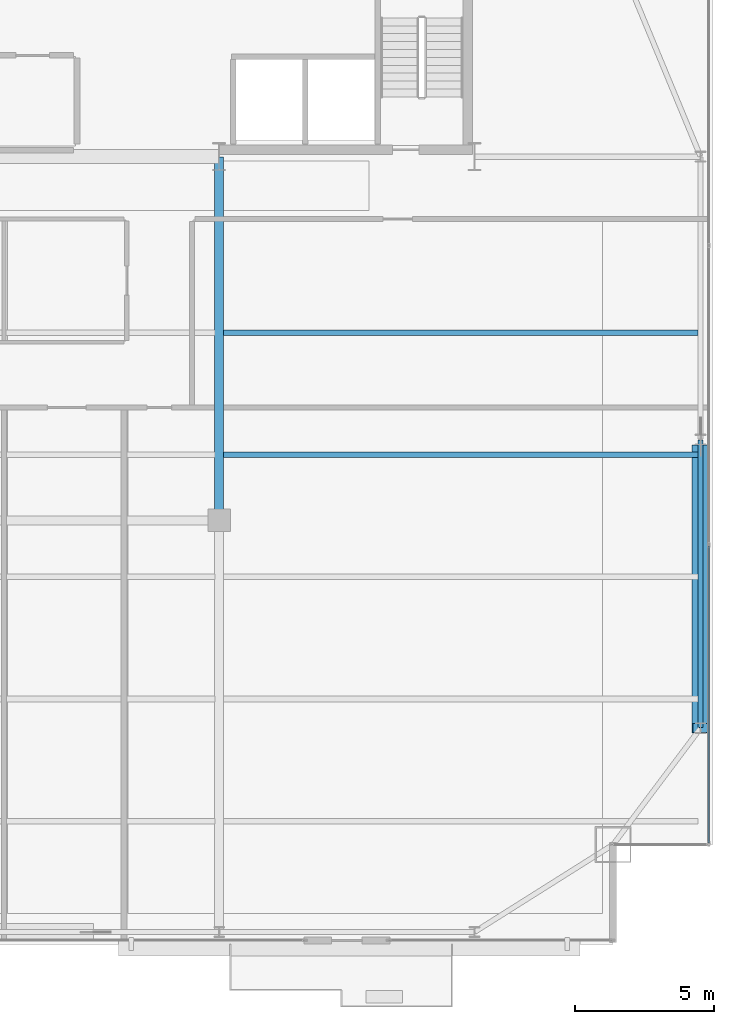
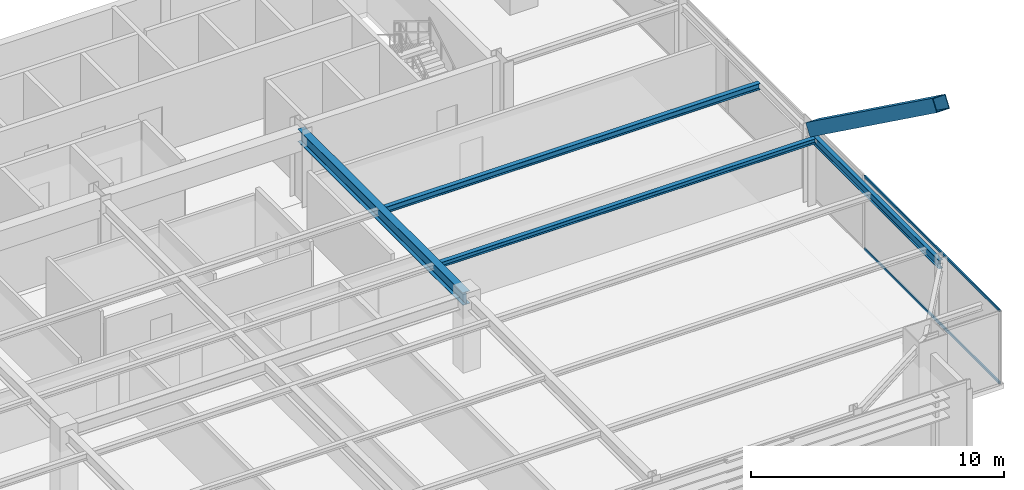
# One storey, part 17 of 32: 4 beams, 3 members, 1 element without a shape of its own.
"""IFC4 building model written with IfcOpenShell, lengths in metres."""

from ifc_helpers import new_model, si_unit, direction, frame, origin, origin_2d, place, context, subcontext, project, spatial, hollow_rectangle, i_section, extrude, source, transform, mapped, material, layer, layer_set, material_profile, profile_set, type_object, type_shapes, element, aggregate, save


model = new_model("IFC4")

# Units and contexts
model_context = context("Model", 3, precision=1e-05, world=origin(), true_north=direction((0.0, 1.0)))
body_context = subcontext(model_context, "Body", "Model", "MODEL_VIEW")
ifc_project = project(units=[si_unit("LENGTHUNIT", "METRE"), si_unit("AREAUNIT", "SQUARE_METRE"), si_unit("VOLUMEUNIT", "CUBIC_METRE"), si_unit("PLANEANGLEUNIT", "RADIAN"), si_unit("MASSUNIT", "GRAM", prefix="KILO")], contexts=[model_context])

# Site, building, storey
site_placement = place(None, origin())
site = spatial("IfcSite", under=ifc_project, at=site_placement, CompositionType="ELEMENT")
building_placement = place(site_placement, origin())
building = spatial("IfcBuilding", under=site, at=building_placement, Name="Varnel Quay Broadcast Tower", CompositionType="ELEMENT")
storey_placement = place(building_placement, frame((0.0, 0.0, 164.800048828125)))
storey = spatial("IfcBuildingStorey", under=building, at=storey_placement, Name="L40", CompositionType="ELEMENT", Elevation=164.800048828125)

# Beams
ifc_material_1 = material(Name="Structural Steel CSA G40.21 350W", Category="steel")
ifc_material_profile_1 = material_profile(ifc_material_1, i_section(OverallWidth=0.180908203125, OverallDepth=0.4169921875, WebThickness=0.010986328125, FlangeThickness=0.018310546875, FilletRadius=0.011962890625, at=origin_2d()), Name="W410X85")
ifc_profile_set_1 = profile_set([ifc_material_profile_1], Name="Structural Steel CSA G40.21 350W")
beam_type_1 = type_object("IfcBeamType", Name="Beam_W410X85", PredefinedType="SPANDREL", material=ifc_profile_set_1)
shared_shape_1 = source(origin(), body_context, "Body", "SweptSolid", [
    extrude(i_section(OverallWidth=0.180908203125, OverallDepth=0.4169921875, WebThickness=0.010986328125, FlangeThickness=0.018310546875, FilletRadius=0.011962890625, at=origin_2d()), origin(), (0.0, 0.0, 1.0), 10.35986328125),
])
type_shapes(beam_type_1, [shared_shape_1])
beam_1_placement = place(storey_placement, frame((60.550048828125, 15.02001953125, 3.341552734375), z_axis=(0.0, 1.0, 0.0), x_axis=(-1.0, 0.0, 0.0)))
element("IfcBeam", 1, at=beam_1_placement, inside=storey, type_object=beam_type_1, Name="L40 East Spandrel TC-E1-TC-E2", PredefinedType="SPANDREL", context=body_context, shape_type="MappedRepresentation", body=[
    mapped(shared_shape_1, transform((0.0, 0.0, 0.0), x_axis=(1.0, 0.0, 0.0), y_axis=(0.0, 1.0, 0.0), z_axis=(0.0, 0.0, 1.0), scale=1.0)),
])
ifc_material_profile_2 = material_profile(ifc_material_1, i_section(OverallWidth=0.324951171875, OverallDepth=0.615966796875, WebThickness=0.013916015625, FlangeThickness=0.021484375, FilletRadius=0.01611328125, at=origin_2d()), Name="W610X174")
ifc_profile_set_2 = profile_set([ifc_material_profile_2], Name="Structural Steel CSA G40.21 350W")
beam_type_2 = type_object("IfcBeamType", Name="Girder_W610X174", PredefinedType="BEAM", material=ifc_profile_set_2)
shared_shape_2 = source(origin(), body_context, "Body", "SweptSolid", [
    extrude(i_section(OverallWidth=0.324951171875, OverallDepth=0.615966796875, WebThickness=0.013916015625, FlangeThickness=0.021484375, FilletRadius=0.01611328125, at=origin_2d()), origin(), (0.0, 0.0, 1.0), 13.070068359375),
])
type_shapes(beam_type_2, [shared_shape_2])
beam_2_placement = place(storey_placement, frame((43.199951171875, 22.510009765625, 3.241943359375), z_axis=(0.0, 1.0, 0.0), x_axis=(-1.0, 0.0, 0.0)))
element("IfcBeam", 2, at=beam_2_placement, inside=storey, type_object=beam_type_2, Name="L40 Primary Girder IC-02-CC-S4", PredefinedType="BEAM", context=body_context, shape_type="MappedRepresentation", body=[
    mapped(shared_shape_2, transform((0.0, 0.0, 0.0), x_axis=(1.0, 0.0, 0.0), y_axis=(0.0, 1.0, 0.0), z_axis=(0.0, 0.0, 1.0), scale=1.0)),
])
ifc_material_profile_3 = material_profile(ifc_material_1, i_section(OverallWidth=0.202880859375, OverallDepth=0.302978515625, WebThickness=0.007568359375, FlangeThickness=0.01318359375, FilletRadius=0.011962890625, at=origin_2d()), Name="W310X60")
ifc_profile_set_3 = profile_set([ifc_material_profile_3], Name="Structural Steel CSA G40.21 350W")
beam_type_3 = type_object("IfcBeamType", Name="Beam_W310X60", PredefinedType="JOIST", material=ifc_profile_set_3)
shared_shape_3 = source(origin(), body_context, "Body", "SweptSolid", [
    extrude(i_section(OverallWidth=0.202880859375, OverallDepth=0.302978515625, WebThickness=0.007568359375, FlangeThickness=0.01318359375, FilletRadius=0.011962890625, at=origin_2d()), origin(), (0.0, 0.0, 1.0), 17.107177734375),
])
type_shapes(beam_type_3, [shared_shape_3])
beam_3_placement = place(storey_placement, frame((43.357421875, 29.25, 3.3984375), z_axis=(1.0, 0.0, 0.0), x_axis=(0.0, 1.0, 0.0)))
element("IfcBeam", 3, at=beam_3_placement, inside=storey, type_object=beam_type_3, Name="L40 East Floor Joist 5", PredefinedType="JOIST", context=body_context, shape_type="MappedRepresentation", body=[
    mapped(shared_shape_3, transform((0.0, 0.0, 0.0), x_axis=(1.0, 0.0, 0.0), y_axis=(0.0, 1.0, 0.0), z_axis=(0.0, 0.0, 1.0), scale=1.0)),
])
ifc_material_profile_4 = material_profile(ifc_material_1, i_section(OverallWidth=0.201904296875, OverallDepth=0.2470703125, WebThickness=0.00732421875, FlangeThickness=0.010986328125, FilletRadius=0.010986328125, at=origin_2d()), Name="W250X49")
ifc_profile_set_4 = profile_set([ifc_material_profile_4], Name="Structural Steel CSA G40.21 350W")
beam_type_4 = type_object("IfcBeamType", Name="Beam_W250X49", PredefinedType="JOIST", material=ifc_profile_set_4)
shared_shape_4 = source(origin(), body_context, "Body", "SweptSolid", [
    extrude(i_section(OverallWidth=0.201904296875, OverallDepth=0.2470703125, WebThickness=0.00732421875, FlangeThickness=0.010986328125, FilletRadius=0.010986328125, at=origin_2d()), origin(), (0.0, 0.0, 1.0), 17.107177734375),
])
type_shapes(beam_type_4, [shared_shape_4])
beam_4_placement = place(storey_placement, frame((43.357421875, 24.85009765625, 3.426513671875), z_axis=(1.0, 0.0, 0.0), x_axis=(0.0, 1.0, 0.0)))
element("IfcBeam", 4, at=beam_4_placement, inside=storey, type_object=beam_type_4, Name="L40 East Floor Joist 4", PredefinedType="JOIST", context=body_context, shape_type="MappedRepresentation", body=[
    mapped(shared_shape_4, transform((0.0, 0.0, 0.0), x_axis=(1.0, 0.0, 0.0), y_axis=(0.0, 1.0, 0.0), z_axis=(0.0, 0.0, 1.0), scale=1.0)),
])

# Member
ifc_material_2 = material(Name="Structural Steel CSA G40.21 350WT", Category="steel")
ifc_material_profile_5 = material_profile(ifc_material_2, hollow_rectangle(XDim=0.60009765625, YDim=0.60009765625, WallThickness=0.028076171875, at=origin_2d()), Name="BOX600X600X28")
ifc_profile_set_5 = profile_set([ifc_material_profile_5], Name="Structural Steel CSA G40.21 350WT")
member_type_1 = type_object("IfcMemberType", Name="Brace_BOX600X600X28", PredefinedType="BRACE", material=ifc_profile_set_5)
shared_shape_5 = source(origin(), body_context, "Body", "SweptSolid", [
    extrude(hollow_rectangle(XDim=0.60009765625, YDim=0.60009765625, WallThickness=0.028076171875, at=origin_2d()), origin(), (0.0, 0.0, 1.0), 12.3740234375),
])
type_shapes(member_type_1, [shared_shape_5])
member_1_placement = place(storey_placement, frame((60.550048828125, 25.02392578125, 3.874755859375), z_axis=(0.0, -0.810079456088, 0.586320112928), x_axis=(1.0, 0.0, 0.0)))
element("IfcMember", 5, at=member_1_placement, inside=storey, type_object=member_type_1, Name="Zone 3 Mega-Brace E-FT2 Split Diag B2", PredefinedType="BRACE", context=body_context, shape_type="MappedRepresentation", body=[
    mapped(shared_shape_5, transform((0.0, 0.0, 0.0), x_axis=(1.0, 0.0, 0.0), y_axis=(0.0, 1.0, 0.0), z_axis=(0.0, 0.0, 1.0), scale=1.0)),
])

# Curtain wall, members
ifc_material_3 = material(Name="Anodised Bronze Aluminium 6063-T6", Category="aluminium")
ifc_layer = layer(ifc_material_3, 0.18994140625, Name="Anodised Bronze Aluminium 6063-T6")
ifc_layer_set = layer_set([ifc_layer], Name="Anodised Bronze Aluminium 6063-T6")
curtain_wall_type = type_object("IfcCurtainWallType", Name="CW_UpperTower", PredefinedType="NOTDEFINED", material=ifc_layer_set)
curtain_wall_placement = place(storey_placement, origin())
curtain_wall = element("IfcCurtainWall", 6, at=curtain_wall_placement, inside=storey, type_object=curtain_wall_type, Name="L40 East Unitised Curtain Wall", PredefinedType="NOTDEFINED")
ifc_material_profile_6 = material_profile(ifc_material_3, hollow_rectangle(XDim=0.06005859375, YDim=0.125, WallThickness=0.0029296875, at=origin_2d()), Name="ALU60X125X3")
ifc_profile_set_6 = profile_set([ifc_material_profile_6], Name="Anodised Bronze Aluminium 6063-T6")
member_type_2 = type_object("IfcMemberType", Name="Tran_CWS-03", PredefinedType="USERDEFINED", material=ifc_profile_set_6)
shared_shape_6 = source(origin(), body_context, "Body", "SweptSolid", [
    extrude(hollow_rectangle(XDim=0.06005859375, YDim=0.125, WallThickness=0.0029296875, at=origin_2d()), origin(), (0.0, 0.0, 1.0), 10.702392578125),
])
type_shapes(member_type_2, [shared_shape_6])
member_2_placement = place(storey_placement, frame((60.85009765625, 10.864990234375, 0.030029296875), z_axis=(0.0, 1.0, 0.0), x_axis=(-1.0, 0.0, 0.0)))
member_2 = element("IfcMember", 7, at=member_2_placement, type_object=member_type_2, Name="CWS-03 transom 1.1", ObjectType="TRANSOM", PredefinedType="USERDEFINED", context=body_context, shape_type="MappedRepresentation", body=[
    mapped(shared_shape_6, transform((0.0, 0.0, 0.0), x_axis=(1.0, 0.0, 0.0), y_axis=(0.0, 1.0, 0.0), z_axis=(0.0, 0.0, 1.0), scale=1.0)),
])
member_3_placement = place(storey_placement, frame((60.85009765625, 10.864990234375, 3.52001953125), z_axis=(0.0, 1.0, 0.0), x_axis=(-1.0, 0.0, 0.0)))
member_3 = element("IfcMember", 8, at=member_3_placement, type_object=member_type_2, Name="CWS-03 transom 1.2", ObjectType="TRANSOM", PredefinedType="USERDEFINED", context=body_context, shape_type="MappedRepresentation", body=[
    mapped(shared_shape_6, transform((0.0, 0.0, 0.0), x_axis=(1.0, 0.0, 0.0), y_axis=(0.0, 1.0, 0.0), z_axis=(0.0, 0.0, 1.0), scale=1.0)),
])
aggregate(curtain_wall, [member_2, member_3])

save(model, "model.ifc")
